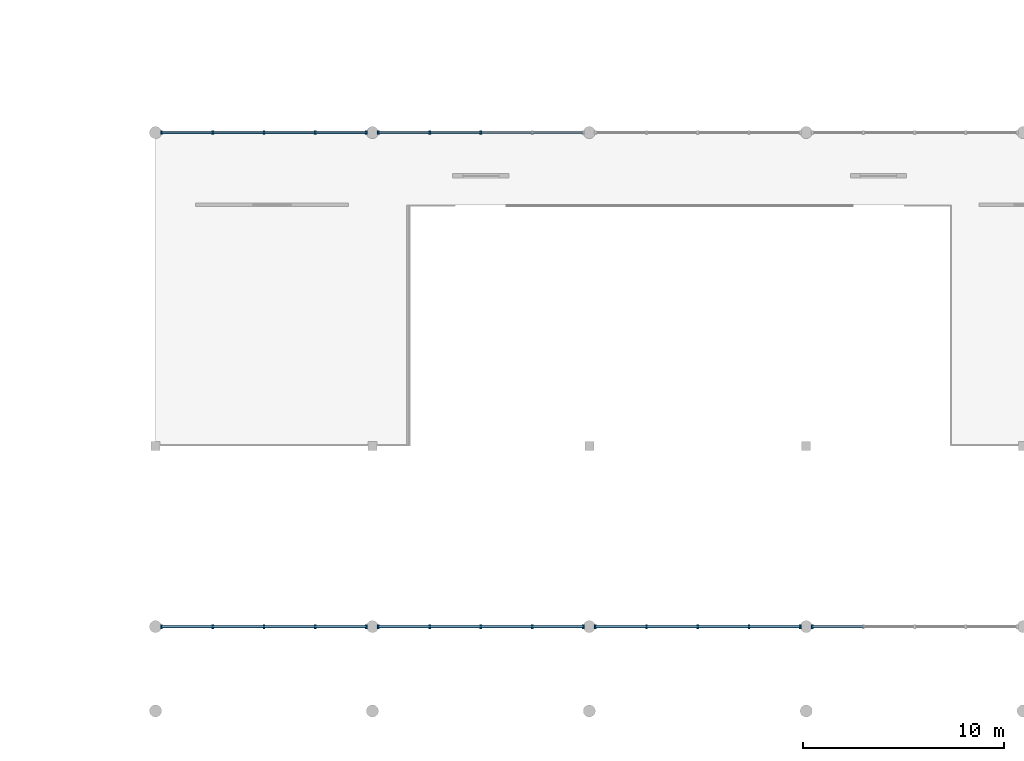
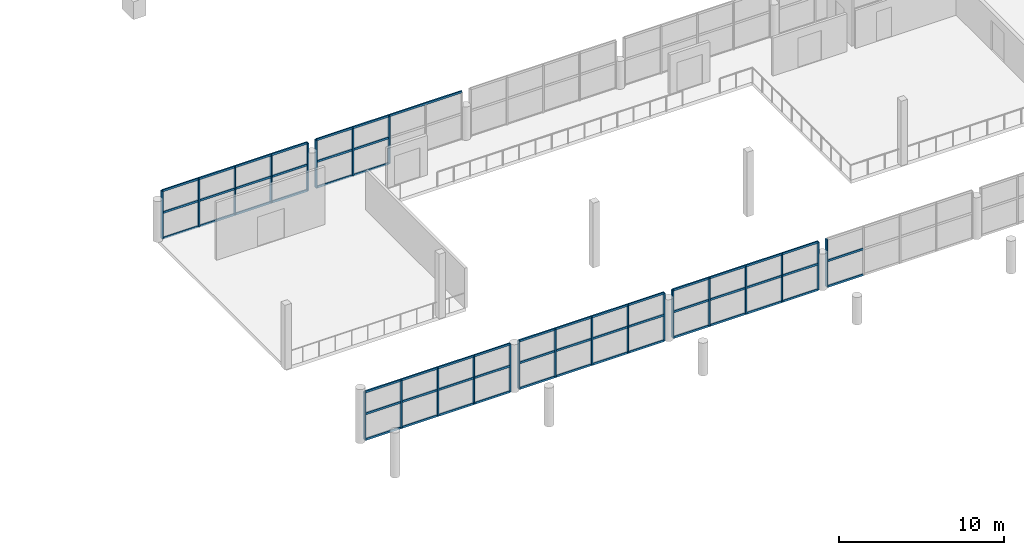
# One storey, part 18 of 74: 67 members, 6 elements without a shape of their own.
"""IFC4 building model written with IfcOpenShell, lengths in metres."""

from ifc_helpers import new_model, si_unit, direction, frame, origin, origin_2d, place, context, subcontext, project, spatial, rectangle, extrude, material, material_profile, profile_set, type_object, element, aggregate, save


model = new_model("IFC4")

# Units and contexts
model_context = context("Model", 3, precision=1e-05, world=origin(), true_north=direction((0.0, 1.0)))
body_context = subcontext(model_context, "Body", "Model", "MODEL_VIEW")
ifc_project = project(units=[si_unit("LENGTHUNIT", "METRE"), si_unit("AREAUNIT", "SQUARE_METRE"), si_unit("VOLUMEUNIT", "CUBIC_METRE"), si_unit("PLANEANGLEUNIT", "RADIAN"), si_unit("MASSUNIT", "GRAM", prefix="KILO")], contexts=[model_context])

# Site, building, storey
site_placement = place(None, origin())
site = spatial("IfcSite", under=ifc_project, at=site_placement, CompositionType="ELEMENT")
building_placement = place(site_placement, origin())
building = spatial("IfcBuilding", under=site, at=building_placement, Name="Suirenkawa Promenade Aquatics Centre", CompositionType="ELEMENT")
storey_placement = place(building_placement, frame((0.0, 0.0, 4.800048828125)))
storey = spatial("IfcBuildingStorey", under=building, at=storey_placement, Name="L01", CompositionType="ELEMENT", Elevation=4.800048828125)

# Curtain wall, members
ifc_material = material(Name="Anodised aluminium 6063-T6", Category="aluminium")
curtain_wall_type_1 = type_object("IfcCurtainWallType", Name="CWAT-V3SL1-24", PredefinedType="NOTDEFINED", material=ifc_material)
curtain_wall_1_placement = place(storey_placement, origin())
curtain_wall_1 = element("IfcCurtainWall", 1, at=curtain_wall_1_placement, inside=storey, type_object=curtain_wall_type_1, Name="Curtain wall CWA-24 CW-054", PredefinedType="NOTDEFINED")
ifc_material_profile_1 = material_profile(ifc_material, rectangle(XDim=0.094970703125, YDim=0.18994140625, at=origin_2d()), Name="ALU MULL 95x190", Category="aluminium")
ifc_profile_set_1 = profile_set([ifc_material_profile_1], Name="Anodised aluminium 6063-T6")
member_type_1 = type_object("IfcMemberType", Name="CWM-190x95", PredefinedType="MULLION", material=ifc_profile_set_1)
member_1_placement = place(storey_placement, frame((89.700927734375, 4.199951171875, 0.0), z_axis=(0.0, 0.0, 1.0), x_axis=(-1.0, 0.0, 0.0)))
member_1 = element("IfcMember", 2, at=member_1_placement, type_object=member_type_1, Name="Mullion ML-02 CWM-01057", PredefinedType="MULLION", context=body_context, shape_type="SweptSolid", body=[
    extrude(rectangle(XDim=0.094970703125, YDim=0.18994140625, at=origin_2d()), origin(), (0.0, 0.0, 1.0), 3.52001953125),
])
member_2_placement = place(storey_placement, frame((87.150390625, 4.199951171875, 0.0), z_axis=(0.0, 0.0, 1.0), x_axis=(-1.0, 0.0, 0.0)))
member_2 = element("IfcMember", 3, at=member_2_placement, type_object=member_type_1, Name="Mullion ML-02 CWM-01058", PredefinedType="MULLION", context=body_context, shape_type="SweptSolid", body=[
    extrude(rectangle(XDim=0.094970703125, YDim=0.18994140625, at=origin_2d()), origin(), (0.0, 0.0, 1.0), 3.52001953125),
])
member_3_placement = place(storey_placement, frame((84.60009765625, 4.199951171875, 0.0), z_axis=(0.0, 0.0, 1.0), x_axis=(-1.0, 0.0, 0.0)))
member_3 = element("IfcMember", 4, at=member_3_placement, type_object=member_type_1, Name="Mullion ML-02 CWM-01059", PredefinedType="MULLION", context=body_context, shape_type="SweptSolid", body=[
    extrude(rectangle(XDim=0.094970703125, YDim=0.18994140625, at=origin_2d()), origin(), (0.0, 0.0, 1.0), 3.52001953125),
])
member_4_placement = place(storey_placement, frame((82.049560546875, 4.199951171875, 0.0), z_axis=(0.0, 0.0, 1.0), x_axis=(-1.0, 0.0, 0.0)))
member_4 = element("IfcMember", 5, at=member_4_placement, type_object=member_type_1, Name="Mullion ML-02 CWM-01060", PredefinedType="MULLION", context=body_context, shape_type="SweptSolid", body=[
    extrude(rectangle(XDim=0.094970703125, YDim=0.18994140625, at=origin_2d()), origin(), (0.0, 0.0, 1.0), 3.52001953125),
])
member_5_placement = place(storey_placement, frame((79.4990234375, 4.199951171875, 0.0), z_axis=(0.0, 0.0, 1.0), x_axis=(-1.0, 0.0, 0.0)))
member_5 = element("IfcMember", 6, at=member_5_placement, type_object=member_type_1, Name="Mullion ML-02 CWM-01061", PredefinedType="MULLION", context=body_context, shape_type="SweptSolid", body=[
    extrude(rectangle(XDim=0.094970703125, YDim=0.18994140625, at=origin_2d()), origin(), (0.0, 0.0, 1.0), 3.52001953125),
])

curtain_wall_type_2 = type_object("IfcCurtainWallType", Name="CWAT-V3NL1-25", PredefinedType="NOTDEFINED", material=ifc_material)
curtain_wall_2_placement = place(storey_placement, origin())
curtain_wall_2 = element("IfcCurtainWall", 7, at=curtain_wall_2_placement, inside=storey, type_object=curtain_wall_type_2, Name="Curtain wall CWA-25 CW-055", PredefinedType="NOTDEFINED")
member_6_placement = place(storey_placement, frame((79.4990234375, 28.800048828125, 0.0), z_axis=(0.0, 0.0, 1.0), x_axis=(1.0, 0.0, 0.0)))
member_6 = element("IfcMember", 8, at=member_6_placement, type_object=member_type_1, Name="Mullion ML-02 CWM-01079", PredefinedType="MULLION", context=body_context, shape_type="SweptSolid", body=[
    extrude(rectangle(XDim=0.094970703125, YDim=0.18994140625, at=origin_2d()), origin(), (0.0, 0.0, 1.0), 3.52001953125),
])
member_7_placement = place(storey_placement, frame((82.049560546875, 28.800048828125, 0.0), z_axis=(0.0, 0.0, 1.0), x_axis=(1.0, 0.0, 0.0)))
member_7 = element("IfcMember", 9, at=member_7_placement, type_object=member_type_1, Name="Mullion ML-02 CWM-01080", PredefinedType="MULLION", context=body_context, shape_type="SweptSolid", body=[
    extrude(rectangle(XDim=0.094970703125, YDim=0.18994140625, at=origin_2d()), origin(), (0.0, 0.0, 1.0), 3.52001953125),
])
member_8_placement = place(storey_placement, frame((84.60009765625, 28.800048828125, 0.0), z_axis=(0.0, 0.0, 1.0), x_axis=(1.0, 0.0, 0.0)))
member_8 = element("IfcMember", 10, at=member_8_placement, type_object=member_type_1, Name="Mullion ML-02 CWM-01081", PredefinedType="MULLION", context=body_context, shape_type="SweptSolid", body=[
    extrude(rectangle(XDim=0.094970703125, YDim=0.18994140625, at=origin_2d()), origin(), (0.0, 0.0, 1.0), 3.52001953125),
])
member_9_placement = place(storey_placement, frame((87.150390625, 28.800048828125, 0.0), z_axis=(0.0, 0.0, 1.0), x_axis=(1.0, 0.0, 0.0)))
member_9 = element("IfcMember", 11, at=member_9_placement, type_object=member_type_1, Name="Mullion ML-02 CWM-01082", PredefinedType="MULLION", context=body_context, shape_type="SweptSolid", body=[
    extrude(rectangle(XDim=0.094970703125, YDim=0.18994140625, at=origin_2d()), origin(), (0.0, 0.0, 1.0), 3.52001953125),
])
member_10_placement = place(storey_placement, frame((89.700927734375, 28.800048828125, 0.0), z_axis=(0.0, 0.0, 1.0), x_axis=(1.0, 0.0, 0.0)))
member_10 = element("IfcMember", 12, at=member_10_placement, type_object=member_type_1, Name="Mullion ML-02 CWM-01083", PredefinedType="MULLION", context=body_context, shape_type="SweptSolid", body=[
    extrude(rectangle(XDim=0.094970703125, YDim=0.18994140625, at=origin_2d()), origin(), (0.0, 0.0, 1.0), 3.52001953125),
])

curtain_wall_3_placement = place(storey_placement, origin())
curtain_wall_3 = element("IfcCurtainWall", 13, at=curtain_wall_3_placement, inside=storey, type_object=curtain_wall_type_1, Name="Curtain wall CWA-24 CW-056", PredefinedType="NOTDEFINED")
member_11_placement = place(storey_placement, frame((100.5009765625, 4.199951171875, 0.0), z_axis=(0.0, 0.0, 1.0), x_axis=(-1.0, 0.0, 0.0)))
member_11 = element("IfcMember", 14, at=member_11_placement, type_object=member_type_1, Name="Mullion ML-02 CWM-01101", PredefinedType="MULLION", context=body_context, shape_type="SweptSolid", body=[
    extrude(rectangle(XDim=0.094970703125, YDim=0.18994140625, at=origin_2d()), origin(), (0.0, 0.0, 1.0), 3.52001953125),
])
member_12_placement = place(storey_placement, frame((97.950439453125, 4.199951171875, 0.0), z_axis=(0.0, 0.0, 1.0), x_axis=(-1.0, 0.0, 0.0)))
member_12 = element("IfcMember", 15, at=member_12_placement, type_object=member_type_1, Name="Mullion ML-02 CWM-01102", PredefinedType="MULLION", context=body_context, shape_type="SweptSolid", body=[
    extrude(rectangle(XDim=0.094970703125, YDim=0.18994140625, at=origin_2d()), origin(), (0.0, 0.0, 1.0), 3.52001953125),
])
member_13_placement = place(storey_placement, frame((95.39990234375, 4.199951171875, 0.0), z_axis=(0.0, 0.0, 1.0), x_axis=(-1.0, 0.0, 0.0)))
member_13 = element("IfcMember", 16, at=member_13_placement, type_object=member_type_1, Name="Mullion ML-02 CWM-01103", PredefinedType="MULLION", context=body_context, shape_type="SweptSolid", body=[
    extrude(rectangle(XDim=0.094970703125, YDim=0.18994140625, at=origin_2d()), origin(), (0.0, 0.0, 1.0), 3.52001953125),
])
member_14_placement = place(storey_placement, frame((92.849609375, 4.199951171875, 0.0), z_axis=(0.0, 0.0, 1.0), x_axis=(-1.0, 0.0, 0.0)))
member_14 = element("IfcMember", 17, at=member_14_placement, type_object=member_type_1, Name="Mullion ML-02 CWM-01104", PredefinedType="MULLION", context=body_context, shape_type="SweptSolid", body=[
    extrude(rectangle(XDim=0.094970703125, YDim=0.18994140625, at=origin_2d()), origin(), (0.0, 0.0, 1.0), 3.52001953125),
])
member_15_placement = place(storey_placement, frame((90.299072265625, 4.199951171875, 0.0), z_axis=(0.0, 0.0, 1.0), x_axis=(-1.0, 0.0, 0.0)))
member_15 = element("IfcMember", 18, at=member_15_placement, type_object=member_type_1, Name="Mullion ML-02 CWM-01105", PredefinedType="MULLION", context=body_context, shape_type="SweptSolid", body=[
    extrude(rectangle(XDim=0.094970703125, YDim=0.18994140625, at=origin_2d()), origin(), (0.0, 0.0, 1.0), 3.52001953125),
])

curtain_wall_4_placement = place(storey_placement, origin())
curtain_wall_4 = element("IfcCurtainWall", 19, at=curtain_wall_4_placement, inside=storey, type_object=curtain_wall_type_2, Name="Curtain wall CWA-25 CW-057", PredefinedType="NOTDEFINED")
member_16_placement = place(storey_placement, frame((90.299072265625, 28.800048828125, 0.0), z_axis=(0.0, 0.0, 1.0), x_axis=(1.0, 0.0, 0.0)))
member_16 = element("IfcMember", 20, at=member_16_placement, type_object=member_type_1, Name="Mullion ML-02 CWM-01123", PredefinedType="MULLION", context=body_context, shape_type="SweptSolid", body=[
    extrude(rectangle(XDim=0.094970703125, YDim=0.18994140625, at=origin_2d()), origin(), (0.0, 0.0, 1.0), 3.52001953125),
])
member_17_placement = place(storey_placement, frame((92.849609375, 28.800048828125, 0.0), z_axis=(0.0, 0.0, 1.0), x_axis=(1.0, 0.0, 0.0)))
member_17 = element("IfcMember", 21, at=member_17_placement, type_object=member_type_1, Name="Mullion ML-02 CWM-01124", PredefinedType="MULLION", context=body_context, shape_type="SweptSolid", body=[
    extrude(rectangle(XDim=0.094970703125, YDim=0.18994140625, at=origin_2d()), origin(), (0.0, 0.0, 1.0), 3.52001953125),
])
member_18_placement = place(storey_placement, frame((95.39990234375, 28.800048828125, 0.0), z_axis=(0.0, 0.0, 1.0), x_axis=(1.0, 0.0, 0.0)))
member_18 = element("IfcMember", 22, at=member_18_placement, type_object=member_type_1, Name="Mullion ML-02 CWM-01125", PredefinedType="MULLION", context=body_context, shape_type="SweptSolid", body=[
    extrude(rectangle(XDim=0.094970703125, YDim=0.18994140625, at=origin_2d()), origin(), (0.0, 0.0, 1.0), 3.52001953125),
])

curtain_wall_5_placement = place(storey_placement, origin())
curtain_wall_5 = element("IfcCurtainWall", 23, at=curtain_wall_5_placement, inside=storey, type_object=curtain_wall_type_1, Name="Curtain wall CWA-24 CW-059", PredefinedType="NOTDEFINED")
member_19_placement = place(storey_placement, frame((111.301025390625, 4.199951171875, 0.0), z_axis=(0.0, 0.0, 1.0), x_axis=(-1.0, 0.0, 0.0)))
member_19 = element("IfcMember", 24, at=member_19_placement, type_object=member_type_1, Name="Mullion ML-02 CWM-01167", PredefinedType="MULLION", context=body_context, shape_type="SweptSolid", body=[
    extrude(rectangle(XDim=0.094970703125, YDim=0.18994140625, at=origin_2d()), origin(), (0.0, 0.0, 1.0), 3.52001953125),
])
member_20_placement = place(storey_placement, frame((108.75048828125, 4.199951171875, 0.0), z_axis=(0.0, 0.0, 1.0), x_axis=(-1.0, 0.0, 0.0)))
member_20 = element("IfcMember", 25, at=member_20_placement, type_object=member_type_1, Name="Mullion ML-02 CWM-01168", PredefinedType="MULLION", context=body_context, shape_type="SweptSolid", body=[
    extrude(rectangle(XDim=0.094970703125, YDim=0.18994140625, at=origin_2d()), origin(), (0.0, 0.0, 1.0), 3.52001953125),
])
member_21_placement = place(storey_placement, frame((106.199951171875, 4.199951171875, 0.0), z_axis=(0.0, 0.0, 1.0), x_axis=(-1.0, 0.0, 0.0)))
member_21 = element("IfcMember", 26, at=member_21_placement, type_object=member_type_1, Name="Mullion ML-02 CWM-01169", PredefinedType="MULLION", context=body_context, shape_type="SweptSolid", body=[
    extrude(rectangle(XDim=0.094970703125, YDim=0.18994140625, at=origin_2d()), origin(), (0.0, 0.0, 1.0), 3.52001953125),
])
member_22_placement = place(storey_placement, frame((103.6494140625, 4.199951171875, 0.0), z_axis=(0.0, 0.0, 1.0), x_axis=(-1.0, 0.0, 0.0)))
member_22 = element("IfcMember", 27, at=member_22_placement, type_object=member_type_1, Name="Mullion ML-02 CWM-01170", PredefinedType="MULLION", context=body_context, shape_type="SweptSolid", body=[
    extrude(rectangle(XDim=0.094970703125, YDim=0.18994140625, at=origin_2d()), origin(), (0.0, 0.0, 1.0), 3.52001953125),
])
member_23_placement = place(storey_placement, frame((101.09912109375, 4.199951171875, 0.0), z_axis=(0.0, 0.0, 1.0), x_axis=(-1.0, 0.0, 0.0)))
member_23 = element("IfcMember", 28, at=member_23_placement, type_object=member_type_1, Name="Mullion ML-02 CWM-01171", PredefinedType="MULLION", context=body_context, shape_type="SweptSolid", body=[
    extrude(rectangle(XDim=0.094970703125, YDim=0.18994140625, at=origin_2d()), origin(), (0.0, 0.0, 1.0), 3.52001953125),
])

# Curtain wall, member
curtain_wall_6_placement = place(storey_placement, origin())
curtain_wall_6 = element("IfcCurtainWall", 29, at=curtain_wall_6_placement, inside=storey, type_object=curtain_wall_type_1, Name="Curtain wall CWA-24 CW-063", PredefinedType="NOTDEFINED")
member_24_placement = place(storey_placement, frame((111.89892578125, 4.199951171875, 0.0), z_axis=(0.0, 0.0, 1.0), x_axis=(-1.0, 0.0, 0.0)))
member_24 = element("IfcMember", 30, at=member_24_placement, type_object=member_type_1, Name="Mullion ML-02 CWM-01259", PredefinedType="MULLION", context=body_context, shape_type="SweptSolid", body=[
    extrude(rectangle(XDim=0.094970703125, YDim=0.18994140625, at=origin_2d()), origin(), (0.0, 0.0, 1.0), 3.52001953125),
])

# Member
ifc_material_profile_2 = material_profile(ifc_material, rectangle(XDim=0.094970703125, YDim=0.14990234375, at=origin_2d()), Name="ALU TRAN 95x150", Category="aluminium")
ifc_profile_set_2 = profile_set([ifc_material_profile_2], Name="Anodised aluminium 6063-T6")
member_type_2 = type_object("IfcMemberType", Name="CWT-150x95", PredefinedType="USERDEFINED", material=ifc_profile_set_2)
member_25_placement = place(storey_placement, frame((89.700927734375, 4.199951171875, 0.0), z_axis=(-1.0, 0.0, 0.0), x_axis=(0.0, -1.0, 0.0)))
member_25 = element("IfcMember", 31, at=member_25_placement, type_object=member_type_2, Name="Transom TR-02 CWT-01062", ObjectType="TRANSOM", PredefinedType="USERDEFINED", context=body_context, shape_type="SweptSolid", body=[
    extrude(rectangle(XDim=0.094970703125, YDim=0.14990234375, at=origin_2d()), origin(), (0.0, 0.0, 1.0), 2.550537109375),
])

member_26_placement = place(storey_placement, frame((87.150390625, 4.199951171875, 0.0), z_axis=(-1.0, 0.0, 0.0), x_axis=(0.0, -1.0, 0.0)))
member_26 = element("IfcMember", 32, at=member_26_placement, type_object=member_type_2, Name="Transom TR-02 CWT-01063", ObjectType="TRANSOM", PredefinedType="USERDEFINED", context=body_context, shape_type="SweptSolid", body=[
    extrude(rectangle(XDim=0.094970703125, YDim=0.14990234375, at=origin_2d()), origin(), (0.0, 0.0, 1.0), 2.55029296875),
])

member_27_placement = place(storey_placement, frame((84.60009765625, 4.199951171875, 0.0), z_axis=(-1.0, 0.0, 0.0), x_axis=(0.0, -1.0, 0.0)))
member_27 = element("IfcMember", 33, at=member_27_placement, type_object=member_type_2, Name="Transom TR-02 CWT-01064", ObjectType="TRANSOM", PredefinedType="USERDEFINED", context=body_context, shape_type="SweptSolid", body=[
    extrude(rectangle(XDim=0.094970703125, YDim=0.14990234375, at=origin_2d()), origin(), (0.0, 0.0, 1.0), 2.550537109375),
])

member_28_placement = place(storey_placement, frame((82.049560546875, 4.199951171875, 0.0), z_axis=(-1.0, 0.0, 0.0), x_axis=(0.0, -1.0, 0.0)))
member_28 = element("IfcMember", 34, at=member_28_placement, type_object=member_type_2, Name="Transom TR-02 CWT-01065", ObjectType="TRANSOM", PredefinedType="USERDEFINED", context=body_context, shape_type="SweptSolid", body=[
    extrude(rectangle(XDim=0.094970703125, YDim=0.14990234375, at=origin_2d()), origin(), (0.0, 0.0, 1.0), 2.550537109375),
])

member_29_placement = place(storey_placement, frame((89.700927734375, 4.199951171875, 1.89990234375), z_axis=(-1.0, 0.0, 0.0), x_axis=(0.0, -1.0, 0.0)))
member_29 = element("IfcMember", 35, at=member_29_placement, type_object=member_type_2, Name="Transom TR-02 CWT-01066", ObjectType="TRANSOM", PredefinedType="USERDEFINED", context=body_context, shape_type="SweptSolid", body=[
    extrude(rectangle(XDim=0.094970703125, YDim=0.14990234375, at=origin_2d()), origin(), (0.0, 0.0, 1.0), 2.550537109375),
])

member_30_placement = place(storey_placement, frame((87.150390625, 4.199951171875, 1.89990234375), z_axis=(-1.0, 0.0, 0.0), x_axis=(0.0, -1.0, 0.0)))
member_30 = element("IfcMember", 36, at=member_30_placement, type_object=member_type_2, Name="Transom TR-02 CWT-01067", ObjectType="TRANSOM", PredefinedType="USERDEFINED", context=body_context, shape_type="SweptSolid", body=[
    extrude(rectangle(XDim=0.094970703125, YDim=0.14990234375, at=origin_2d()), origin(), (0.0, 0.0, 1.0), 2.55029296875),
])

member_31_placement = place(storey_placement, frame((84.60009765625, 4.199951171875, 1.89990234375), z_axis=(-1.0, 0.0, 0.0), x_axis=(0.0, -1.0, 0.0)))
member_31 = element("IfcMember", 37, at=member_31_placement, type_object=member_type_2, Name="Transom TR-02 CWT-01068", ObjectType="TRANSOM", PredefinedType="USERDEFINED", context=body_context, shape_type="SweptSolid", body=[
    extrude(rectangle(XDim=0.094970703125, YDim=0.14990234375, at=origin_2d()), origin(), (0.0, 0.0, 1.0), 2.550537109375),
])

member_32_placement = place(storey_placement, frame((82.049560546875, 4.199951171875, 1.89990234375), z_axis=(-1.0, 0.0, 0.0), x_axis=(0.0, -1.0, 0.0)))
member_32 = element("IfcMember", 38, at=member_32_placement, type_object=member_type_2, Name="Transom TR-02 CWT-01069", ObjectType="TRANSOM", PredefinedType="USERDEFINED", context=body_context, shape_type="SweptSolid", body=[
    extrude(rectangle(XDim=0.094970703125, YDim=0.14990234375, at=origin_2d()), origin(), (0.0, 0.0, 1.0), 2.550537109375),
])

member_33_placement = place(storey_placement, frame((89.700927734375, 4.199951171875, 3.52001953125), z_axis=(-1.0, 0.0, 0.0), x_axis=(0.0, -1.0, 0.0)))
member_33 = element("IfcMember", 39, at=member_33_placement, type_object=member_type_2, Name="Roofline transom TR-02 CWT-01070", ObjectType="TRANSOM", PredefinedType="USERDEFINED", context=body_context, shape_type="SweptSolid", body=[
    extrude(rectangle(XDim=0.094970703125, YDim=0.14990234375, at=origin_2d()), origin(), (0.0, 0.0, 1.0), 10.201904296875),
])

aggregate(curtain_wall_1, [member_1, member_2, member_3, member_4, member_5, member_25, member_26, member_27, member_28, member_29, member_30, member_31, member_32, member_33])

member_34_placement = place(storey_placement, frame((79.4990234375, 28.800048828125, 0.0), z_axis=(1.0, 0.0, 0.0), x_axis=(0.0, 1.0, 0.0)))
member_34 = element("IfcMember", 40, at=member_34_placement, type_object=member_type_2, Name="Transom TR-02 CWT-01084", ObjectType="TRANSOM", PredefinedType="USERDEFINED", context=body_context, shape_type="SweptSolid", body=[
    extrude(rectangle(XDim=0.094970703125, YDim=0.14990234375, at=origin_2d()), origin(), (0.0, 0.0, 1.0), 2.550537109375),
])

member_35_placement = place(storey_placement, frame((82.049560546875, 28.800048828125, 0.0), z_axis=(1.0, 0.0, 0.0), x_axis=(0.0, 1.0, 0.0)))
member_35 = element("IfcMember", 41, at=member_35_placement, type_object=member_type_2, Name="Transom TR-02 CWT-01085", ObjectType="TRANSOM", PredefinedType="USERDEFINED", context=body_context, shape_type="SweptSolid", body=[
    extrude(rectangle(XDim=0.094970703125, YDim=0.14990234375, at=origin_2d()), origin(), (0.0, 0.0, 1.0), 2.550537109375),
])

member_36_placement = place(storey_placement, frame((84.60009765625, 28.800048828125, 0.0), z_axis=(1.0, 0.0, 0.0), x_axis=(0.0, 1.0, 0.0)))
member_36 = element("IfcMember", 42, at=member_36_placement, type_object=member_type_2, Name="Transom TR-02 CWT-01086", ObjectType="TRANSOM", PredefinedType="USERDEFINED", context=body_context, shape_type="SweptSolid", body=[
    extrude(rectangle(XDim=0.094970703125, YDim=0.14990234375, at=origin_2d()), origin(), (0.0, 0.0, 1.0), 2.55029296875),
])

member_37_placement = place(storey_placement, frame((87.150390625, 28.800048828125, 0.0), z_axis=(1.0, 0.0, 0.0), x_axis=(0.0, 1.0, 0.0)))
member_37 = element("IfcMember", 43, at=member_37_placement, type_object=member_type_2, Name="Transom TR-02 CWT-01087", ObjectType="TRANSOM", PredefinedType="USERDEFINED", context=body_context, shape_type="SweptSolid", body=[
    extrude(rectangle(XDim=0.094970703125, YDim=0.14990234375, at=origin_2d()), origin(), (0.0, 0.0, 1.0), 2.550537109375),
])

member_38_placement = place(storey_placement, frame((79.4990234375, 28.800048828125, 1.89990234375), z_axis=(1.0, 0.0, 0.0), x_axis=(0.0, 1.0, 0.0)))
member_38 = element("IfcMember", 44, at=member_38_placement, type_object=member_type_2, Name="Transom TR-02 CWT-01088", ObjectType="TRANSOM", PredefinedType="USERDEFINED", context=body_context, shape_type="SweptSolid", body=[
    extrude(rectangle(XDim=0.094970703125, YDim=0.14990234375, at=origin_2d()), origin(), (0.0, 0.0, 1.0), 2.550537109375),
])

member_39_placement = place(storey_placement, frame((82.049560546875, 28.800048828125, 1.89990234375), z_axis=(1.0, 0.0, 0.0), x_axis=(0.0, 1.0, 0.0)))
member_39 = element("IfcMember", 45, at=member_39_placement, type_object=member_type_2, Name="Transom TR-02 CWT-01089", ObjectType="TRANSOM", PredefinedType="USERDEFINED", context=body_context, shape_type="SweptSolid", body=[
    extrude(rectangle(XDim=0.094970703125, YDim=0.14990234375, at=origin_2d()), origin(), (0.0, 0.0, 1.0), 2.550537109375),
])

member_40_placement = place(storey_placement, frame((84.60009765625, 28.800048828125, 1.89990234375), z_axis=(1.0, 0.0, 0.0), x_axis=(0.0, 1.0, 0.0)))
member_40 = element("IfcMember", 46, at=member_40_placement, type_object=member_type_2, Name="Transom TR-02 CWT-01090", ObjectType="TRANSOM", PredefinedType="USERDEFINED", context=body_context, shape_type="SweptSolid", body=[
    extrude(rectangle(XDim=0.094970703125, YDim=0.14990234375, at=origin_2d()), origin(), (0.0, 0.0, 1.0), 2.55029296875),
])

member_41_placement = place(storey_placement, frame((87.150390625, 28.800048828125, 1.89990234375), z_axis=(1.0, 0.0, 0.0), x_axis=(0.0, 1.0, 0.0)))
member_41 = element("IfcMember", 47, at=member_41_placement, type_object=member_type_2, Name="Transom TR-02 CWT-01091", ObjectType="TRANSOM", PredefinedType="USERDEFINED", context=body_context, shape_type="SweptSolid", body=[
    extrude(rectangle(XDim=0.094970703125, YDim=0.14990234375, at=origin_2d()), origin(), (0.0, 0.0, 1.0), 2.550537109375),
])

member_42_placement = place(storey_placement, frame((79.4990234375, 28.800048828125, 3.52001953125), z_axis=(1.0, 0.0, 0.0), x_axis=(0.0, 1.0, 0.0)))
member_42 = element("IfcMember", 48, at=member_42_placement, type_object=member_type_2, Name="Roofline transom TR-02 CWT-01092", ObjectType="TRANSOM", PredefinedType="USERDEFINED", context=body_context, shape_type="SweptSolid", body=[
    extrude(rectangle(XDim=0.094970703125, YDim=0.14990234375, at=origin_2d()), origin(), (0.0, 0.0, 1.0), 10.201904296875),
])

aggregate(curtain_wall_2, [member_6, member_7, member_8, member_9, member_10, member_34, member_35, member_36, member_37, member_38, member_39, member_40, member_41, member_42])

member_43_placement = place(storey_placement, frame((100.5009765625, 4.199951171875, 0.0), z_axis=(-1.0, 0.0, 0.0), x_axis=(0.0, -1.0, 0.0)))
member_43 = element("IfcMember", 49, at=member_43_placement, type_object=member_type_2, Name="Transom TR-02 CWT-01106", ObjectType="TRANSOM", PredefinedType="USERDEFINED", context=body_context, shape_type="SweptSolid", body=[
    extrude(rectangle(XDim=0.094970703125, YDim=0.14990234375, at=origin_2d()), origin(), (0.0, 0.0, 1.0), 2.550537109375),
])

member_44_placement = place(storey_placement, frame((97.950439453125, 4.199951171875, 0.0), z_axis=(-1.0, 0.0, 0.0), x_axis=(0.0, -1.0, 0.0)))
member_44 = element("IfcMember", 50, at=member_44_placement, type_object=member_type_2, Name="Transom TR-02 CWT-01107", ObjectType="TRANSOM", PredefinedType="USERDEFINED", context=body_context, shape_type="SweptSolid", body=[
    extrude(rectangle(XDim=0.094970703125, YDim=0.14990234375, at=origin_2d()), origin(), (0.0, 0.0, 1.0), 2.550537109375),
])

member_45_placement = place(storey_placement, frame((95.39990234375, 4.199951171875, 0.0), z_axis=(-1.0, 0.0, 0.0), x_axis=(0.0, -1.0, 0.0)))
member_45 = element("IfcMember", 51, at=member_45_placement, type_object=member_type_2, Name="Transom TR-02 CWT-01108", ObjectType="TRANSOM", PredefinedType="USERDEFINED", context=body_context, shape_type="SweptSolid", body=[
    extrude(rectangle(XDim=0.094970703125, YDim=0.14990234375, at=origin_2d()), origin(), (0.0, 0.0, 1.0), 2.55029296875),
])

member_46_placement = place(storey_placement, frame((92.849609375, 4.199951171875, 0.0), z_axis=(-1.0, 0.0, 0.0), x_axis=(0.0, -1.0, 0.0)))
member_46 = element("IfcMember", 52, at=member_46_placement, type_object=member_type_2, Name="Transom TR-02 CWT-01109", ObjectType="TRANSOM", PredefinedType="USERDEFINED", context=body_context, shape_type="SweptSolid", body=[
    extrude(rectangle(XDim=0.094970703125, YDim=0.14990234375, at=origin_2d()), origin(), (0.0, 0.0, 1.0), 2.550537109375),
])

member_47_placement = place(storey_placement, frame((100.5009765625, 4.199951171875, 1.89990234375), z_axis=(-1.0, 0.0, 0.0), x_axis=(0.0, -1.0, 0.0)))
member_47 = element("IfcMember", 53, at=member_47_placement, type_object=member_type_2, Name="Transom TR-02 CWT-01110", ObjectType="TRANSOM", PredefinedType="USERDEFINED", context=body_context, shape_type="SweptSolid", body=[
    extrude(rectangle(XDim=0.094970703125, YDim=0.14990234375, at=origin_2d()), origin(), (0.0, 0.0, 1.0), 2.550537109375),
])

member_48_placement = place(storey_placement, frame((97.950439453125, 4.199951171875, 1.89990234375), z_axis=(-1.0, 0.0, 0.0), x_axis=(0.0, -1.0, 0.0)))
member_48 = element("IfcMember", 54, at=member_48_placement, type_object=member_type_2, Name="Transom TR-02 CWT-01111", ObjectType="TRANSOM", PredefinedType="USERDEFINED", context=body_context, shape_type="SweptSolid", body=[
    extrude(rectangle(XDim=0.094970703125, YDim=0.14990234375, at=origin_2d()), origin(), (0.0, 0.0, 1.0), 2.550537109375),
])

member_49_placement = place(storey_placement, frame((95.39990234375, 4.199951171875, 1.89990234375), z_axis=(-1.0, 0.0, 0.0), x_axis=(0.0, -1.0, 0.0)))
member_49 = element("IfcMember", 55, at=member_49_placement, type_object=member_type_2, Name="Transom TR-02 CWT-01112", ObjectType="TRANSOM", PredefinedType="USERDEFINED", context=body_context, shape_type="SweptSolid", body=[
    extrude(rectangle(XDim=0.094970703125, YDim=0.14990234375, at=origin_2d()), origin(), (0.0, 0.0, 1.0), 2.55029296875),
])

member_50_placement = place(storey_placement, frame((92.849609375, 4.199951171875, 1.89990234375), z_axis=(-1.0, 0.0, 0.0), x_axis=(0.0, -1.0, 0.0)))
member_50 = element("IfcMember", 56, at=member_50_placement, type_object=member_type_2, Name="Transom TR-02 CWT-01113", ObjectType="TRANSOM", PredefinedType="USERDEFINED", context=body_context, shape_type="SweptSolid", body=[
    extrude(rectangle(XDim=0.094970703125, YDim=0.14990234375, at=origin_2d()), origin(), (0.0, 0.0, 1.0), 2.550537109375),
])

member_51_placement = place(storey_placement, frame((100.5009765625, 4.199951171875, 3.52001953125), z_axis=(-1.0, 0.0, 0.0), x_axis=(0.0, -1.0, 0.0)))
member_51 = element("IfcMember", 57, at=member_51_placement, type_object=member_type_2, Name="Roofline transom TR-02 CWT-01114", ObjectType="TRANSOM", PredefinedType="USERDEFINED", context=body_context, shape_type="SweptSolid", body=[
    extrude(rectangle(XDim=0.094970703125, YDim=0.14990234375, at=origin_2d()), origin(), (0.0, 0.0, 1.0), 10.201904296875),
])

aggregate(curtain_wall_3, [member_11, member_12, member_13, member_14, member_15, member_43, member_44, member_45, member_46, member_47, member_48, member_49, member_50, member_51])

member_52_placement = place(storey_placement, frame((90.299072265625, 28.800048828125, 0.0), z_axis=(1.0, 0.0, 0.0), x_axis=(0.0, 1.0, 0.0)))
member_52 = element("IfcMember", 58, at=member_52_placement, type_object=member_type_2, Name="Transom TR-02 CWT-01128", ObjectType="TRANSOM", PredefinedType="USERDEFINED", context=body_context, shape_type="SweptSolid", body=[
    extrude(rectangle(XDim=0.094970703125, YDim=0.14990234375, at=origin_2d()), origin(), (0.0, 0.0, 1.0), 2.550537109375),
])

member_53_placement = place(storey_placement, frame((92.849609375, 28.800048828125, 0.0), z_axis=(1.0, 0.0, 0.0), x_axis=(0.0, 1.0, 0.0)))
member_53 = element("IfcMember", 59, at=member_53_placement, type_object=member_type_2, Name="Transom TR-02 CWT-01129", ObjectType="TRANSOM", PredefinedType="USERDEFINED", context=body_context, shape_type="SweptSolid", body=[
    extrude(rectangle(XDim=0.094970703125, YDim=0.14990234375, at=origin_2d()), origin(), (0.0, 0.0, 1.0), 2.55029296875),
])

member_54_placement = place(storey_placement, frame((90.299072265625, 28.800048828125, 1.89990234375), z_axis=(1.0, 0.0, 0.0), x_axis=(0.0, 1.0, 0.0)))
member_54 = element("IfcMember", 60, at=member_54_placement, type_object=member_type_2, Name="Transom TR-02 CWT-01132", ObjectType="TRANSOM", PredefinedType="USERDEFINED", context=body_context, shape_type="SweptSolid", body=[
    extrude(rectangle(XDim=0.094970703125, YDim=0.14990234375, at=origin_2d()), origin(), (0.0, 0.0, 1.0), 2.550537109375),
])

member_55_placement = place(storey_placement, frame((92.849609375, 28.800048828125, 1.89990234375), z_axis=(1.0, 0.0, 0.0), x_axis=(0.0, 1.0, 0.0)))
member_55 = element("IfcMember", 61, at=member_55_placement, type_object=member_type_2, Name="Transom TR-02 CWT-01133", ObjectType="TRANSOM", PredefinedType="USERDEFINED", context=body_context, shape_type="SweptSolid", body=[
    extrude(rectangle(XDim=0.094970703125, YDim=0.14990234375, at=origin_2d()), origin(), (0.0, 0.0, 1.0), 2.55029296875),
])

member_56_placement = place(storey_placement, frame((90.299072265625, 28.800048828125, 3.52001953125), z_axis=(1.0, 0.0, 0.0), x_axis=(0.0, 1.0, 0.0)))
member_56 = element("IfcMember", 62, at=member_56_placement, type_object=member_type_2, Name="Roofline transom TR-02 CWT-01136", ObjectType="TRANSOM", PredefinedType="USERDEFINED", context=body_context, shape_type="SweptSolid", body=[
    extrude(rectangle(XDim=0.094970703125, YDim=0.14990234375, at=origin_2d()), origin(), (0.0, 0.0, 1.0), 10.201904296875),
])

aggregate(curtain_wall_4, [member_16, member_17, member_18, member_52, member_53, member_54, member_55, member_56])

member_57_placement = place(storey_placement, frame((111.301025390625, 4.199951171875, 0.0), z_axis=(-1.0, 0.0, 0.0), x_axis=(0.0, -1.0, 0.0)))
member_57 = element("IfcMember", 63, at=member_57_placement, type_object=member_type_2, Name="Transom TR-02 CWT-01172", ObjectType="TRANSOM", PredefinedType="USERDEFINED", context=body_context, shape_type="SweptSolid", body=[
    extrude(rectangle(XDim=0.094970703125, YDim=0.14990234375, at=origin_2d()), origin(), (0.0, 0.0, 1.0), 2.550537109375),
])

member_58_placement = place(storey_placement, frame((108.75048828125, 4.199951171875, 0.0), z_axis=(-1.0, 0.0, 0.0), x_axis=(0.0, -1.0, 0.0)))
member_58 = element("IfcMember", 64, at=member_58_placement, type_object=member_type_2, Name="Transom TR-02 CWT-01173", ObjectType="TRANSOM", PredefinedType="USERDEFINED", context=body_context, shape_type="SweptSolid", body=[
    extrude(rectangle(XDim=0.094970703125, YDim=0.14990234375, at=origin_2d()), origin(), (0.0, 0.0, 1.0), 2.550537109375),
])

member_59_placement = place(storey_placement, frame((106.199951171875, 4.199951171875, 0.0), z_axis=(-1.0, 0.0, 0.0), x_axis=(0.0, -1.0, 0.0)))
member_59 = element("IfcMember", 65, at=member_59_placement, type_object=member_type_2, Name="Transom TR-02 CWT-01174", ObjectType="TRANSOM", PredefinedType="USERDEFINED", context=body_context, shape_type="SweptSolid", body=[
    extrude(rectangle(XDim=0.094970703125, YDim=0.14990234375, at=origin_2d()), origin(), (0.0, 0.0, 1.0), 2.550537109375),
])

member_60_placement = place(storey_placement, frame((103.6494140625, 4.199951171875, 0.0), z_axis=(-1.0, 0.0, 0.0), x_axis=(0.0, -1.0, 0.0)))
member_60 = element("IfcMember", 66, at=member_60_placement, type_object=member_type_2, Name="Transom TR-02 CWT-01175", ObjectType="TRANSOM", PredefinedType="USERDEFINED", context=body_context, shape_type="SweptSolid", body=[
    extrude(rectangle(XDim=0.094970703125, YDim=0.14990234375, at=origin_2d()), origin(), (0.0, 0.0, 1.0), 2.55029296875),
])

member_61_placement = place(storey_placement, frame((111.301025390625, 4.199951171875, 1.89990234375), z_axis=(-1.0, 0.0, 0.0), x_axis=(0.0, -1.0, 0.0)))
member_61 = element("IfcMember", 67, at=member_61_placement, type_object=member_type_2, Name="Transom TR-02 CWT-01176", ObjectType="TRANSOM", PredefinedType="USERDEFINED", context=body_context, shape_type="SweptSolid", body=[
    extrude(rectangle(XDim=0.094970703125, YDim=0.14990234375, at=origin_2d()), origin(), (0.0, 0.0, 1.0), 2.550537109375),
])

member_62_placement = place(storey_placement, frame((108.75048828125, 4.199951171875, 1.89990234375), z_axis=(-1.0, 0.0, 0.0), x_axis=(0.0, -1.0, 0.0)))
member_62 = element("IfcMember", 68, at=member_62_placement, type_object=member_type_2, Name="Transom TR-02 CWT-01177", ObjectType="TRANSOM", PredefinedType="USERDEFINED", context=body_context, shape_type="SweptSolid", body=[
    extrude(rectangle(XDim=0.094970703125, YDim=0.14990234375, at=origin_2d()), origin(), (0.0, 0.0, 1.0), 2.550537109375),
])

member_63_placement = place(storey_placement, frame((106.199951171875, 4.199951171875, 1.89990234375), z_axis=(-1.0, 0.0, 0.0), x_axis=(0.0, -1.0, 0.0)))
member_63 = element("IfcMember", 69, at=member_63_placement, type_object=member_type_2, Name="Transom TR-02 CWT-01178", ObjectType="TRANSOM", PredefinedType="USERDEFINED", context=body_context, shape_type="SweptSolid", body=[
    extrude(rectangle(XDim=0.094970703125, YDim=0.14990234375, at=origin_2d()), origin(), (0.0, 0.0, 1.0), 2.550537109375),
])

member_64_placement = place(storey_placement, frame((103.6494140625, 4.199951171875, 1.89990234375), z_axis=(-1.0, 0.0, 0.0), x_axis=(0.0, -1.0, 0.0)))
member_64 = element("IfcMember", 70, at=member_64_placement, type_object=member_type_2, Name="Transom TR-02 CWT-01179", ObjectType="TRANSOM", PredefinedType="USERDEFINED", context=body_context, shape_type="SweptSolid", body=[
    extrude(rectangle(XDim=0.094970703125, YDim=0.14990234375, at=origin_2d()), origin(), (0.0, 0.0, 1.0), 2.55029296875),
])

member_65_placement = place(storey_placement, frame((111.301025390625, 4.199951171875, 3.52001953125), z_axis=(-1.0, 0.0, 0.0), x_axis=(0.0, -1.0, 0.0)))
member_65 = element("IfcMember", 71, at=member_65_placement, type_object=member_type_2, Name="Roofline transom TR-02 CWT-01180", ObjectType="TRANSOM", PredefinedType="USERDEFINED", context=body_context, shape_type="SweptSolid", body=[
    extrude(rectangle(XDim=0.094970703125, YDim=0.14990234375, at=origin_2d()), origin(), (0.0, 0.0, 1.0), 10.201904296875),
])

aggregate(curtain_wall_5, [member_19, member_20, member_21, member_22, member_23, member_57, member_58, member_59, member_60, member_61, member_62, member_63, member_64, member_65])

member_66_placement = place(storey_placement, frame((114.449462890625, 4.199951171875, 0.0), z_axis=(-1.0, 0.0, 0.0), x_axis=(0.0, -1.0, 0.0)))
member_66 = element("IfcMember", 72, at=member_66_placement, type_object=member_type_2, Name="Transom TR-02 CWT-01263", ObjectType="TRANSOM", PredefinedType="USERDEFINED", context=body_context, shape_type="SweptSolid", body=[
    extrude(rectangle(XDim=0.094970703125, YDim=0.14990234375, at=origin_2d()), origin(), (0.0, 0.0, 1.0), 2.550537109375),
])

member_67_placement = place(storey_placement, frame((114.449462890625, 4.199951171875, 1.89990234375), z_axis=(-1.0, 0.0, 0.0), x_axis=(0.0, -1.0, 0.0)))
member_67 = element("IfcMember", 73, at=member_67_placement, type_object=member_type_2, Name="Transom TR-02 CWT-01267", ObjectType="TRANSOM", PredefinedType="USERDEFINED", context=body_context, shape_type="SweptSolid", body=[
    extrude(rectangle(XDim=0.094970703125, YDim=0.14990234375, at=origin_2d()), origin(), (0.0, 0.0, 1.0), 2.550537109375),
])

aggregate(curtain_wall_6, [member_24, member_66, member_67])

save(model, "model.ifc")
